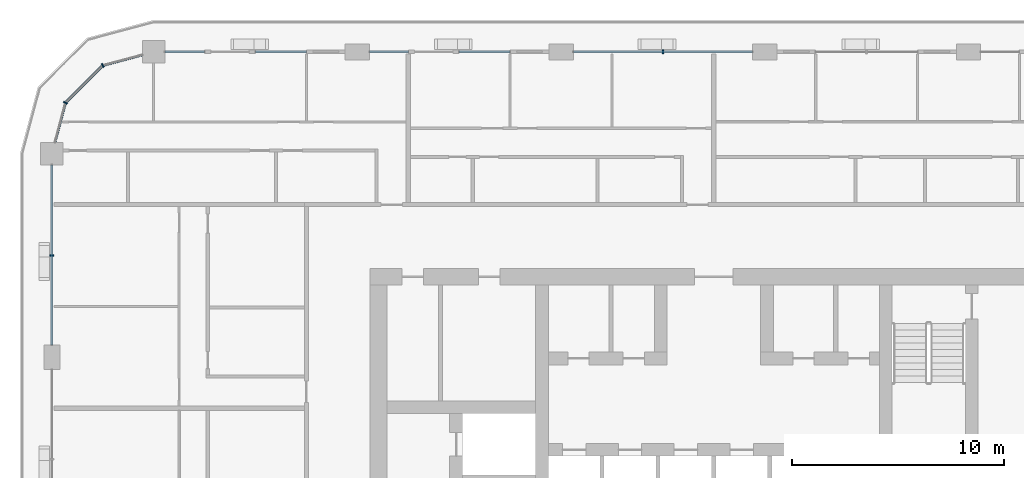
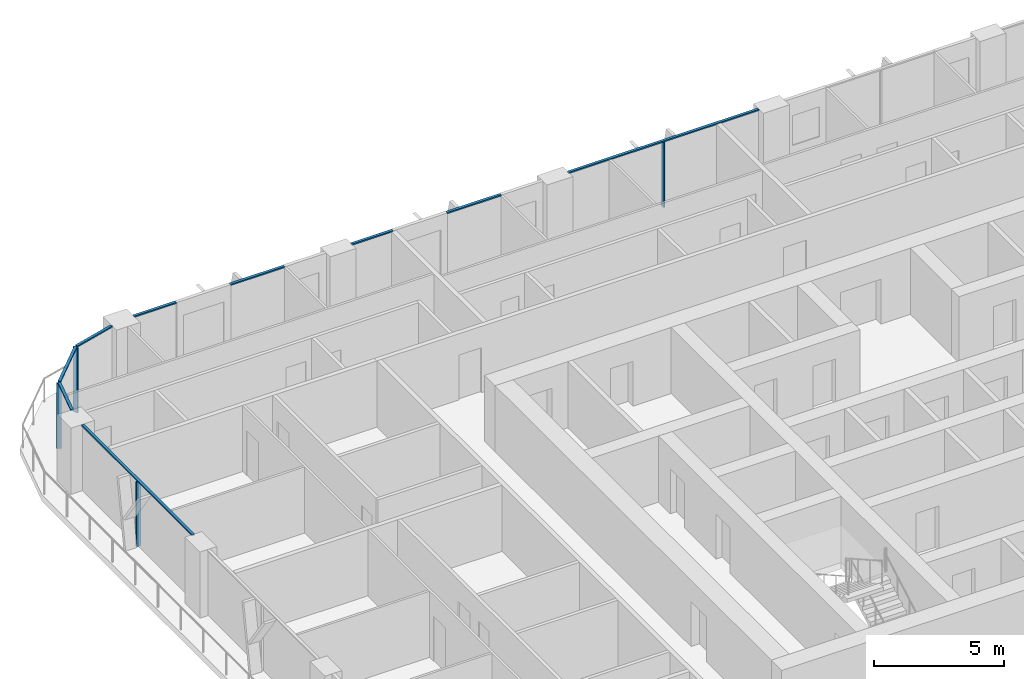
# One storey, part 5 of 22: 13 members, 5 elements without a shape of their own.
"""IFC4 building model written with IfcOpenShell, lengths in metres."""

import ifcopenshell
import ifcopenshell.guid

model = None  # the IFC model being written
_history = None  # IfcOwnerHistory: only IFC2X3 demands one
_inside = {}  # id of a spatial element -> (the spatial element, [elements in it])
_under = {}  # id of a project, library or spatial element -> (it, [spatial elements below it])
_declared = {}  # id of a project -> (the project, [libraries it declares])
_typed = {}  # id of a type object -> (the type object, [elements of that type])
_made_of = {}  # id of a material, layer set ... -> (it, [elements and type objects made of it])


def new_model(schema):
    """Start an empty IFC model of exactly this schema.

    Asked for "IFC4X3", IfcOpenShell would pick the latest addendum, in which some entities
    have other attributes; the version numbers below select the first issue.
    IFC2X3 requires an IfcOwnerHistory on every rooted entity: one is made here for all.
    """
    global model, _history
    if schema == "IFC4X3":
        model = ifcopenshell.file(schema_version=(4, 3, 0, 0))
    else:
        model = ifcopenshell.file(schema=schema)
    _inside.clear()
    _under.clear()
    _declared.clear()
    _typed.clear()
    _made_of.clear()
    _history = None
    if model.schema == "IFC2X3":
        org = make("IfcOrganization", Name="unknown")
        user = make(
            "IfcPersonAndOrganization",
            ThePerson=make("IfcPerson", FamilyName="unknown"),
            TheOrganization=org,
        )
        app = make(
            "IfcApplication",
            ApplicationDeveloper=org,
            Version="unknown",
            ApplicationFullName="unknown",
            ApplicationIdentifier="unknown",
        )
        _history = make(
            "IfcOwnerHistory",
            OwningUser=user,
            OwningApplication=app,
            ChangeAction="ADDED",
            CreationDate=0,
        )
    return model


def make(cls, **values):
    """One entity of the class cls with the attributes given. An attribute that is None is left unset."""
    return model.create_entity(
        cls, **{name: value for name, value in values.items() if value is not None}
    )


def rooted(cls, **values):
    """An entity with a GlobalId (a new one), such as an element, a storey or a relation."""
    return make(cls, GlobalId=ifcopenshell.guid.new(), OwnerHistory=_history, **values)


def si_unit(unit_type, name, prefix=None):
    """IfcSIUnit, for example si_unit("LENGTHUNIT", "METRE", prefix="MILLI")."""
    return make("IfcSIUnit", UnitType=unit_type, Prefix=prefix, Name=name)


def assignment(units):
    """IfcUnitAssignment: the units of a project."""
    return None if units is None else make("IfcUnitAssignment", Units=units)


def point(xyz):
    """IfcCartesianPoint."""
    return None if xyz is None else make("IfcCartesianPoint", Coordinates=xyz)


def direction(xyz):
    """IfcDirection."""
    return None if xyz is None else make("IfcDirection", DirectionRatios=xyz)


def frame(location, z_axis=None, x_axis=None):
    """IfcAxis2Placement3D, a coordinate frame: its origin and axes. An axis left out is left unset."""
    return make(
        "IfcAxis2Placement3D",
        Location=point(location),
        Axis=direction(z_axis),
        RefDirection=direction(x_axis),
    )


def frame_2d(location, x_axis=None):
    """IfcAxis2Placement2D, a coordinate frame in the plane: its origin and x axis."""
    return make(
        "IfcAxis2Placement2D", Location=point(location), RefDirection=direction(x_axis)
    )


def origin():
    """The frame at (0, 0, 0) with its axes left unset."""
    return frame((0.0, 0.0, 0.0))


def origin_2d():
    """The frame at (0, 0) in the plane with its x axis left unset."""
    return frame_2d((0.0, 0.0))


def place(relative_to, where):
    """IfcLocalPlacement: puts the frame where relative to a parent placement (None: the world)."""
    return make(
        "IfcLocalPlacement", PlacementRelTo=relative_to, RelativePlacement=where
    )


def context(
    kind, dimensions, precision=None, world=None, true_north=None, identifier=None
):
    """IfcGeometricRepresentationContext, for example the 3D "Model" context."""
    return make(
        "IfcGeometricRepresentationContext",
        ContextIdentifier=identifier,
        ContextType=kind,
        CoordinateSpaceDimension=dimensions,
        Precision=precision,
        WorldCoordinateSystem=world,
        TrueNorth=true_north,
    )


def subcontext(parent, identifier, kind, view, scale=None):
    """IfcGeometricRepresentationSubContext, for example "Body" below "Model"."""
    return make(
        "IfcGeometricRepresentationSubContext",
        ContextIdentifier=identifier,
        ContextType=kind,
        ParentContext=parent,
        TargetScale=scale,
        TargetView=view,
    )


def project(units=None, contexts=None):
    """IfcProject with its units and contexts."""
    return rooted(
        "IfcProject",
        Name="project",
        RepresentationContexts=contexts,
        UnitsInContext=assignment(units),
    )


def spatial(cls, under=None, at=None, **own):
    """A site, building, storey or space (cls), placed at a placement, below another one or the project."""
    s = rooted(cls, ObjectPlacement=at, **own)
    if under is not None:
        _under.setdefault(under.id(), (under, []))[1].append(s)
    return s


def profile(cls, at=None, kind="AREA", **sizes):
    """A parametric profile (cls). Its sizes go by their IFC names, for example OverallWidth=200.0."""
    return make(cls, ProfileType=kind, Position=at, **sizes)


def rectangle(**sizes):
    """IfcRectangleProfileDef."""
    return profile("IfcRectangleProfileDef", **sizes)


def extrude(swept, where, along, depth):
    """IfcExtrudedAreaSolid: the profile swept, set in the frame where, extruded along a direction by depth."""
    return make(
        "IfcExtrudedAreaSolid",
        SweptArea=swept,
        Position=where,
        ExtrudedDirection=direction(along),
        Depth=depth,
    )


def shape(context_of_items, identifier, shape_type, items):
    """IfcShapeRepresentation: the items that make up one representation, for example the "Body"."""
    return make(
        "IfcShapeRepresentation",
        ContextOfItems=context_of_items,
        RepresentationIdentifier=identifier,
        RepresentationType=shape_type,
        Items=items,
    )


def material(Name=None, Category=None):
    """IfcMaterial."""
    return make("IfcMaterial", Name=Name, Category=Category)


def layer(
    of_material, thickness, ventilated=None, Name=None, Category=None, Priority=None
):
    """IfcMaterialLayer: one layer of a wall or slab, of a material (None: an air gap)."""
    return make(
        "IfcMaterialLayer",
        Material=of_material,
        LayerThickness=thickness,
        IsVentilated=ventilated,
        Name=Name,
        Category=Category,
        Priority=Priority,
    )


def layer_set(layers, Name=None):
    """IfcMaterialLayerSet."""
    return make("IfcMaterialLayerSet", MaterialLayers=layers, LayerSetName=Name)


def material_profile(
    of_material, cross_section, Name=None, Category=None, Priority=None
):
    """IfcMaterialProfile: a cross section and its material."""
    return make(
        "IfcMaterialProfile",
        Name=Name,
        Material=of_material,
        Profile=cross_section,
        Priority=Priority,
        Category=Category,
    )


def profile_set(profiles, Name=None, composite=None):
    """IfcMaterialProfileSet."""
    return make(
        "IfcMaterialProfileSet",
        Name=Name,
        MaterialProfiles=profiles,
        CompositeProfile=composite,
    )


def made_of(thing, what):
    """Note that an element or type object is made of a material, layer set ...; save() writes the relation."""
    if what is not None:
        _made_of.setdefault(what.id(), (what, []))[1].append(thing)
    return thing


def type_object(cls, material=None, **own):
    """A type object (cls), such as IfcWallType, which elements share."""
    return made_of(rooted(cls, **own), material)


def element(
    cls,
    number,
    at=None,
    inside=None,
    cuts=None,
    type_object=None,
    material=None,
    context=None,
    identifier="Body",
    shape_type=None,
    held_by="IfcProductDefinitionShape",
    body=None,
    shapes=None,
    **own,
):
    """One element of the class cls, such as IfcWall. Its Tag is "e" and its number.

    at: its placement. inside: the storey or other place that contains it. cuts: it is an
    opening in that element (IfcRelVoidsElement). A single representation is given by context,
    identifier, shape_type and body (its items); several are given by shapes. held_by: the class
    of the entity that holds the representations. save() writes the other relations.
    """
    e = rooted(cls, Tag="e%d" % number, ObjectPlacement=at, **own)
    if body is not None:
        shapes = [shape(context, identifier, shape_type, body)]
    if shapes is not None:
        e.Representation = make(held_by, Representations=shapes)
    if inside is not None:
        _inside.setdefault(inside.id(), (inside, []))[1].append(e)
    if cuts is not None:
        rooted(
            "IfcRelVoidsElement", RelatingBuildingElement=cuts, RelatedOpeningElement=e
        )
    if type_object is not None:
        _typed.setdefault(type_object.id(), (type_object, []))[1].append(e)
    return made_of(e, material)


def aggregate(whole, parts):
    """IfcRelAggregates: a whole, such as a stair, and the parts it consists of."""
    return rooted("IfcRelAggregates", RelatingObject=whole, RelatedObjects=parts)


def save(model, path):
    """Write the relations noted so far, then the file.

    IfcRelAggregates (storeys below a building ...), IfcRelContainedInSpatialStructure (elements
    in a storey), IfcRelDefinesByType, IfcRelAssociatesMaterial and IfcRelDeclares: one each for
    every whole, place, type object, material and project.
    """
    for whole, parts in _under.values():
        aggregate(whole, parts)
    for where, things in _inside.values():
        rooted(
            "IfcRelContainedInSpatialStructure",
            RelatedElements=things,
            RelatingStructure=where,
        )
    for kind, things in _typed.values():
        rooted("IfcRelDefinesByType", RelatedObjects=things, RelatingType=kind)
    for what, things in _made_of.values():
        rooted("IfcRelAssociatesMaterial", RelatedObjects=things, RelatingMaterial=what)
    for by, libraries in _declared.values():
        rooted("IfcRelDeclares", RelatingContext=by, RelatedDefinitions=libraries)
    model.write(path)


model = new_model("IFC4")

# Units and contexts
model_context = context("Model", 3, precision=1e-05, world=origin(), true_north=direction((0.0, 1.0)))
body_context = subcontext(model_context, "Body", "Model", "MODEL_VIEW")
ifc_project = project(units=[si_unit("LENGTHUNIT", "METRE"), si_unit("AREAUNIT", "SQUARE_METRE"), si_unit("VOLUMEUNIT", "CUBIC_METRE"), si_unit("PLANEANGLEUNIT", "RADIAN"), si_unit("MASSUNIT", "GRAM", prefix="KILO")], contexts=[model_context])

# Site, building, storey
site_placement = place(None, origin())
site = spatial("IfcSite", under=ifc_project, at=site_placement, CompositionType="ELEMENT")
building_placement = place(site_placement, origin())
building = spatial("IfcBuilding", under=site, at=building_placement, Name="Madar Terraces", CompositionType="ELEMENT")
storey_placement = place(building_placement, frame((0.0, 0.0, 170.0)))
storey = spatial("IfcBuildingStorey", under=building, at=storey_placement, Name="L44", CompositionType="ELEMENT", Elevation=170.0)

# Curtain wall, member
ifc_material_1 = material(Name="Glass, ceramic frit dark grey, with black aluminium frame", Category="aluminium")
ifc_layer = layer(ifc_material_1, 0.199951171875)
ifc_layer_set = layer_set([ifc_layer], Name="Facade curtain wall, fritted glass")
curtain_wall_type = type_object("IfcCurtainWallType", Name="Facade curtain wall, fritted glass", PredefinedType="NOTDEFINED", material=ifc_layer_set)
curtain_wall_1_placement = place(storey_placement, origin())
curtain_wall_1 = element("IfcCurtainWall", 1, at=curtain_wall_1_placement, inside=storey, type_object=curtain_wall_type, Name="Outer skin curtain wall north bay 3", PredefinedType="NOTDEFINED")
ifc_material_2 = material(Name="Aluminium, black anodised", Category="aluminium")
ifc_material_profile_1 = material_profile(ifc_material_2, rectangle(XDim=0.199951171875, YDim=0.06005859375, at=origin_2d()), Name="Facade mullion 60x200")
ifc_profile_set_1 = profile_set([ifc_material_profile_1], Name="Aluminium, black anodised")
member_type_1 = type_object("IfcMemberType", Name="Facade mullion 60x200", PredefinedType="MULLION", material=ifc_profile_set_1)
member_1_placement = place(storey_placement, frame((28.800048828125, 48.0, 0.0), z_axis=(0.0, 0.0, 1.0), x_axis=(0.0, -1.0, 0.0)))
member_1 = element("IfcMember", 2, at=member_1_placement, type_object=member_type_1, Name="Mullion 1", PredefinedType="MULLION", context=body_context, shape_type="SweptSolid", body=[
    extrude(rectangle(XDim=0.199951171875, YDim=0.06005859375, at=origin_2d()), origin(), (0.0, 0.0, 1.0), 3.0400390625),
])

curtain_wall_2_placement = place(storey_placement, origin())
curtain_wall_2 = element("IfcCurtainWall", 3, at=curtain_wall_2_placement, inside=storey, type_object=curtain_wall_type, Name="Outer skin curtain wall west bay 1", PredefinedType="NOTDEFINED")
member_2_placement = place(storey_placement, frame((0.0, 38.39990234375, 0.0), z_axis=(0.0, 0.0, 1.0), x_axis=(1.0, 0.0, 0.0)))
member_2 = element("IfcMember", 4, at=member_2_placement, type_object=member_type_1, Name="Mullion 1", PredefinedType="MULLION", context=body_context, shape_type="SweptSolid", body=[
    extrude(rectangle(XDim=0.199951171875, YDim=0.06005859375, at=origin_2d()), origin(), (0.0, 0.0, 1.0), 3.0400390625),
])

# Curtain wall, members
curtain_wall_3_placement = place(storey_placement, origin())
curtain_wall_3 = element("IfcCurtainWall", 5, at=curtain_wall_3_placement, inside=storey, type_object=curtain_wall_type, Name="Outer skin curtain wall north-west corner", PredefinedType="NOTDEFINED")
member_3_placement = place(storey_placement, frame((2.39990234375, 47.35693359375, 0.0), z_axis=(0.0, 0.0, 1.0), x_axis=(0.499999989586, -0.866025409797, 0.0)))
member_3 = element("IfcMember", 6, at=member_3_placement, type_object=member_type_1, Name="Mullion 1", PredefinedType="MULLION", context=body_context, shape_type="SweptSolid", body=[
    extrude(rectangle(XDim=0.199951171875, YDim=0.06005859375, at=origin_2d()), origin(), (0.0, 0.0, 1.0), 3.0400390625),
])
member_4_placement = place(storey_placement, frame((0.64306640625, 45.60009765625, 0.0), z_axis=(0.0, 0.0, 1.0), x_axis=(0.866025409797, -0.499999989586, 0.0)))
member_4 = element("IfcMember", 7, at=member_4_placement, type_object=member_type_1, Name="Mullion 2", PredefinedType="MULLION", context=body_context, shape_type="SweptSolid", body=[
    extrude(rectangle(XDim=0.199951171875, YDim=0.06005859375, at=origin_2d()), origin(), (0.0, 0.0, 1.0), 3.0400390625),
])

# Member
ifc_material_3 = material(Name="Aluminium, black anodised", Category="aluminium")
ifc_material_profile_2 = material_profile(ifc_material_3, rectangle(XDim=0.1201171875, YDim=0.06005859375, at=origin_2d()), Name="Facade transom 60x120")
ifc_profile_set_2 = profile_set([ifc_material_profile_2], Name="Aluminium, black anodised")
member_type_2 = type_object("IfcMemberType", Name="Facade transom 60x120", PredefinedType="USERDEFINED", material=ifc_profile_set_2)
member_5_placement = place(storey_placement, frame((33.02490234375, 48.0, 3.070068359375), z_axis=(-1.0, 0.0, 0.0), x_axis=(0.0, -1.0, 0.0)))
member_5 = element("IfcMember", 8, at=member_5_placement, type_object=member_type_2, Name="Transom 1", ObjectType="TRANSOM", PredefinedType="USERDEFINED", context=body_context, shape_type="SweptSolid", body=[
    extrude(rectangle(XDim=0.1201171875, YDim=0.06005859375, at=origin_2d()), origin(), (0.0, 0.0, 1.0), 8.449951171875),
])

aggregate(curtain_wall_1, [member_1, member_5])

# Curtain wall, members
curtain_wall_4_placement = place(storey_placement, origin())
curtain_wall_4 = element("IfcCurtainWall", 9, at=curtain_wall_4_placement, inside=storey, type_object=curtain_wall_type, Name="Outer skin curtain wall north bay 4", PredefinedType="NOTDEFINED")
member_6_placement = place(storey_placement, frame((21.60009765625, 48.0, 3.070068359375), z_axis=(-1.0, 0.0, 0.0), x_axis=(0.0, -1.0, 0.0)))
member_6 = element("IfcMember", 10, at=member_6_placement, type_object=member_type_2, Name="Transom 1", ObjectType="TRANSOM", PredefinedType="USERDEFINED", context=body_context, shape_type="SweptSolid", body=[
    extrude(rectangle(XDim=0.1201171875, YDim=0.06005859375, at=origin_2d()), origin(), (0.0, 0.0, 1.0), 2.400146484375),
])
member_7_placement = place(storey_placement, frame((16.800048828125, 48.0, 3.070068359375), z_axis=(-1.0, 0.0, 0.0), x_axis=(0.0, -1.0, 0.0)))
member_7 = element("IfcMember", 11, at=member_7_placement, type_object=member_type_2, Name="Transom 2", ObjectType="TRANSOM", PredefinedType="USERDEFINED", context=body_context, shape_type="SweptSolid", body=[
    extrude(rectangle(XDim=0.1201171875, YDim=0.06005859375, at=origin_2d()), origin(), (0.0, 0.0, 1.0), 1.824951171875),
])
aggregate(curtain_wall_4, [member_6, member_7])

curtain_wall_5_placement = place(storey_placement, origin())
curtain_wall_5 = element("IfcCurtainWall", 12, at=curtain_wall_5_placement, inside=storey, type_object=curtain_wall_type, Name="Outer skin curtain wall north bay 5", PredefinedType="NOTDEFINED")
member_8_placement = place(storey_placement, frame((12.0, 48.0, 3.070068359375), z_axis=(-1.0, 0.0, 0.0), x_axis=(0.0, -1.0, 0.0)))
member_8 = element("IfcMember", 13, at=member_8_placement, type_object=member_type_2, Name="Transom 1", ObjectType="TRANSOM", PredefinedType="USERDEFINED", context=body_context, shape_type="SweptSolid", body=[
    extrude(rectangle(XDim=0.1201171875, YDim=0.06005859375, at=origin_2d()), origin(), (0.0, 0.0, 1.0), 2.39990234375),
])
member_9_placement = place(storey_placement, frame((7.199951171875, 48.0, 3.070068359375), z_axis=(-1.0, 0.0, 0.0), x_axis=(0.0, -1.0, 0.0)))
member_9 = element("IfcMember", 14, at=member_9_placement, type_object=member_type_2, Name="Transom 2", ObjectType="TRANSOM", PredefinedType="USERDEFINED", context=body_context, shape_type="SweptSolid", body=[
    extrude(rectangle(XDim=0.1201171875, YDim=0.06005859375, at=origin_2d()), origin(), (0.0, 0.0, 1.0), 1.875),
])
aggregate(curtain_wall_5, [member_8, member_9])

# Member
member_10_placement = place(storey_placement, frame((0.0, 42.675048828125, 3.070068359375), z_axis=(0.0, -1.0, 0.0), x_axis=(1.0, 0.0, 0.0)))
member_10 = element("IfcMember", 15, at=member_10_placement, type_object=member_type_2, Name="Transom 1", ObjectType="TRANSOM", PredefinedType="USERDEFINED", context=body_context, shape_type="SweptSolid", body=[
    extrude(rectangle(XDim=0.1201171875, YDim=0.06005859375, at=origin_2d()), origin(), (0.0, 0.0, 1.0), 8.5),
])

aggregate(curtain_wall_2, [member_2, member_10])

member_11_placement = place(storey_placement, frame((4.27490234375, 47.859375, 3.070068359375), z_axis=(-0.965924671538, -0.258823354654, 0.0), x_axis=(0.258823354654, -0.965924671538, 0.0)))
member_11 = element("IfcMember", 16, at=member_11_placement, type_object=member_type_2, Name="Transom 1", ObjectType="TRANSOM", PredefinedType="USERDEFINED", context=body_context, shape_type="SweptSolid", body=[
    extrude(rectangle(XDim=0.1201171875, YDim=0.06005859375, at=origin_2d()), origin(), (0.0, 0.0, 1.0), 1.9111328125),
])

member_12_placement = place(storey_placement, frame((2.37890625, 47.335693359375, 3.070068359375), z_axis=(-0.707106781187, -0.707106781187, 0.0), x_axis=(0.707106781187, -0.707106781187, 0.0)))
member_12 = element("IfcMember", 17, at=member_12_placement, type_object=member_type_2, Name="Transom 2", ObjectType="TRANSOM", PredefinedType="USERDEFINED", context=body_context, shape_type="SweptSolid", body=[
    extrude(rectangle(XDim=0.1201171875, YDim=0.06005859375, at=origin_2d()), origin(), (0.0, 0.0, 1.0), 2.4248046875),
])

member_13_placement = place(storey_placement, frame((0.63525390625, 45.571044921875, 3.070068359375), z_axis=(-0.258823354654, -0.965924671538, 0.0), x_axis=(0.965924671538, -0.258823354654, 0.0)))
member_13 = element("IfcMember", 18, at=member_13_placement, type_object=member_type_2, Name="Transom 3", ObjectType="TRANSOM", PredefinedType="USERDEFINED", context=body_context, shape_type="SweptSolid", body=[
    extrude(rectangle(XDim=0.1201171875, YDim=0.06005859375, at=origin_2d()), origin(), (0.0, 0.0, 1.0), 1.9111328125),
])

aggregate(curtain_wall_3, [member_3, member_11, member_4, member_12, member_13])

save(model, "model.ifc")
